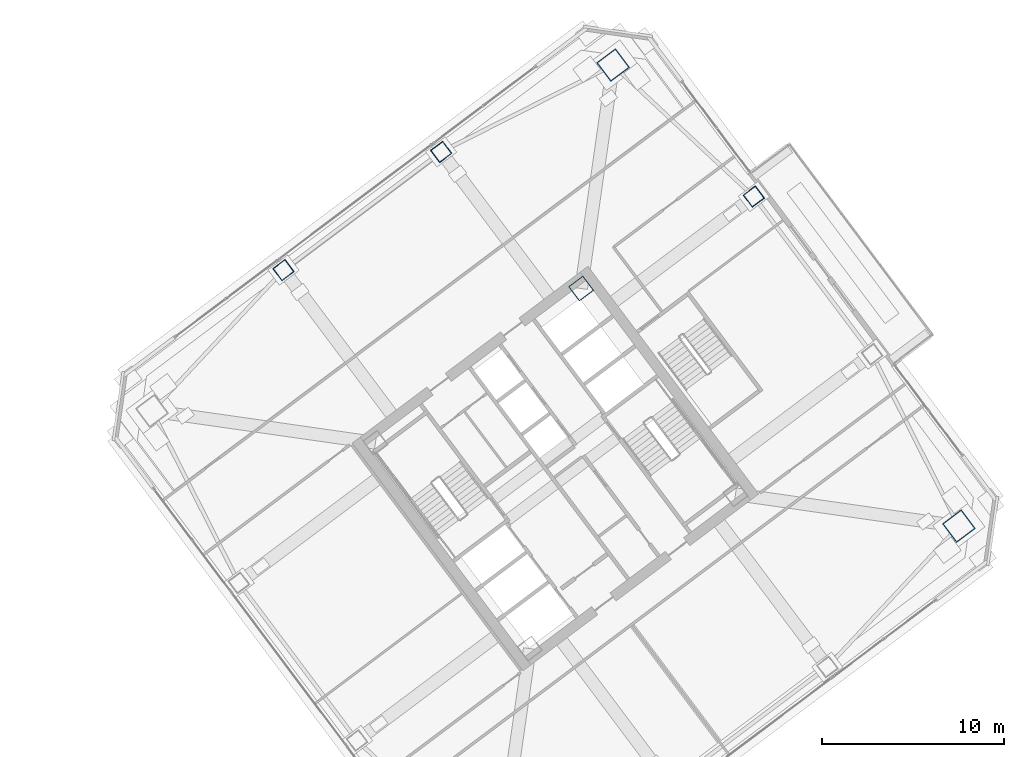
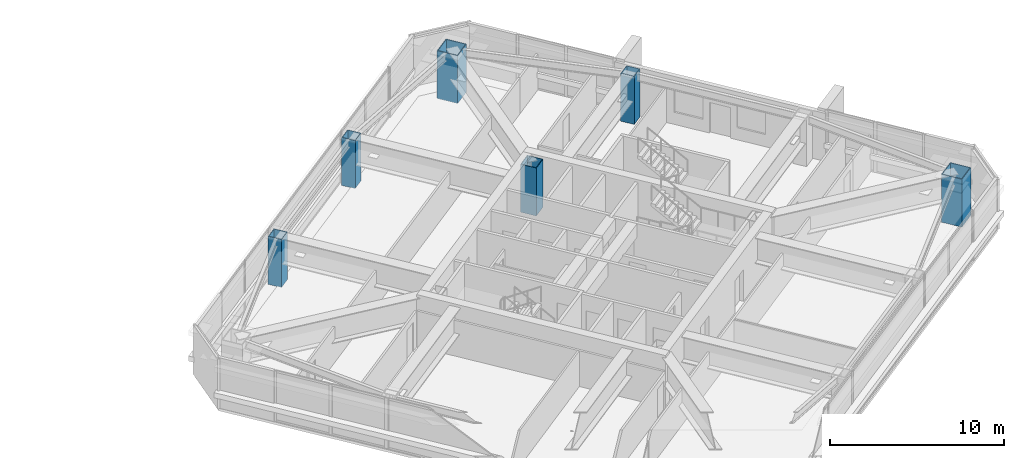
# One storey, part 2 of 42: 6 columns.
"""IFC4 building model written with IfcOpenShell, lengths in metres."""

from ifc_helpers import new_model, si_unit, direction, frame, origin, origin_2d, place, context, subcontext, project, spatial, hollow_rectangle, extrude, material, material_profile, profile_set, type_object, element, save


model = new_model("IFC4")

# Units and contexts
model_context = context("Model", 3, precision=1e-05, world=origin(), true_north=direction((0.0, 1.0)))
body_context = subcontext(model_context, "Body", "Model", "MODEL_VIEW")
ifc_project = project(units=[si_unit("LENGTHUNIT", "METRE"), si_unit("AREAUNIT", "SQUARE_METRE"), si_unit("VOLUMEUNIT", "CUBIC_METRE"), si_unit("PLANEANGLEUNIT", "RADIAN"), si_unit("MASSUNIT", "GRAM", prefix="KILO")], contexts=[model_context])

# Site, building, storey
site_placement = place(None, origin())
site = spatial("IfcSite", under=ifc_project, at=site_placement, CompositionType="ELEMENT")
building_placement = place(site_placement, origin())
building = spatial("IfcBuilding", under=site, at=building_placement, Name="Tashvorn Skyway Center", CompositionType="ELEMENT")
storey_placement = place(building_placement, frame((0.0, 0.0, 153.449951171875)))
storey = spatial("IfcBuildingStorey", under=building, at=storey_placement, Name="L41", CompositionType="ELEMENT", Elevation=153.449951171875)

# Columns
ifc_material = material(Name="Steel ASTM A572 Grade 50", Category="steel")
ifc_material_profile_1 = material_profile(ifc_material, hollow_rectangle(XDim=1.0, YDim=1.0, WallThickness=0.0400390625, at=origin_2d()), Name="BOX1000x1000x40")
ifc_profile_set_1 = profile_set([ifc_material_profile_1], Name="Steel ASTM A572 Grade 50")
column_type_1 = type_object("IfcColumnType", Name="COL-BOX1000x1000x40", PredefinedType="COLUMN", material=ifc_profile_set_1)
column_placement = place(storey_placement, frame((115.409912109375, 41.8701171875, 0.0), z_axis=(0.0, 0.0, 1.0), x_axis=(0.799999996291, 0.600000004945, 0.0)))
element("IfcColumn", 1, at=column_placement, inside=storey, type_object=column_type_1, Name="Tower 2 L41 Core Corner Column CC-NE", PredefinedType="COLUMN", context=body_context, shape_type="SweptSolid", body=[
    extrude(hollow_rectangle(XDim=1.0, YDim=1.0, WallThickness=0.0400390625, at=origin_2d()), origin(), (0.0, 0.0, 1.0), 3.3701171875),
])
ifc_material_profile_2 = material_profile(ifc_material, hollow_rectangle(XDim=1.300048828125, YDim=1.300048828125, WallThickness=0.050048828125, at=origin_2d()), Name="BOX1300x1300x50")
ifc_profile_set_2 = profile_set([ifc_material_profile_2], Name="Steel ASTM A572 Grade 50")
column_type_2 = type_object("IfcColumnType", Name="COL-BOX1300x1300x50", PredefinedType="COLUMN", material=ifc_profile_set_2)
for number, where, z_axis, x_axis, name in (
    (2, (136.1201171875, 28.840087890625, 0.0), (0.0, 0.0, 1.0), (0.799999996291, 0.600000004945, 0.0), "Tower 2 L41 Mega-Column MC-SE"),
    (3, (117.159912109375, 54.1201171875, 0.0), (0.0, 0.0, 1.0), (0.799999996291, 0.600000004945, 0.0), "Tower 2 L41 Mega-Column MC-NE"),
):
    element("IfcColumn", number, at=place(storey_placement, frame(where, z_axis=z_axis, x_axis=x_axis)), inside=storey, type_object=column_type_2, Name=name, PredefinedType="COLUMN", context=body_context, shape_type="SweptSolid", body=[
        extrude(hollow_rectangle(XDim=1.300048828125, YDim=1.300048828125, WallThickness=0.050048828125, at=origin_2d()), origin(), (0.0, 0.0, 1.0), 3.3701171875),
    ])
ifc_material_profile_3 = material_profile(ifc_material, hollow_rectangle(XDim=0.85009765625, YDim=0.85009765625, WallThickness=0.034912109375, at=origin_2d()), Name="BOX850x850x35")
ifc_profile_set_3 = profile_set([ifc_material_profile_3], Name="Steel ASTM A572 Grade 50")
column_type_3 = type_object("IfcColumnType", Name="COL-BOX850x850x35", PredefinedType="COLUMN", material=ifc_profile_set_3)
for number, where, z_axis, x_axis, name in (
    (4, (124.8798828125, 46.909912109375, 0.0), (0.0, 0.0, 1.0), (0.799999996291, 0.600000004945, 0.0), "Tower 2 L41 Perimeter Column FC-E2"),
    (5, (107.72998046875, 49.360107421875, 0.0), (0.0, 0.0, 1.0), (0.799999996291, 0.600000004945, 0.0), "Tower 2 L41 Perimeter Column FC-N1"),
    (6, (99.090087890625, 42.8798828125, 0.0), (0.0, 0.0, 1.0), (0.799999996291, 0.600000004945, 0.0), "Tower 2 L41 Perimeter Column FC-N2"),
):
    element("IfcColumn", number, at=place(storey_placement, frame(where, z_axis=z_axis, x_axis=x_axis)), inside=storey, type_object=column_type_3, Name=name, PredefinedType="COLUMN", context=body_context, shape_type="SweptSolid", body=[
        extrude(hollow_rectangle(XDim=0.85009765625, YDim=0.85009765625, WallThickness=0.034912109375, at=origin_2d()), origin(), (0.0, 0.0, 1.0), 3.3701171875),
    ])

save(model, "model.ifc")
